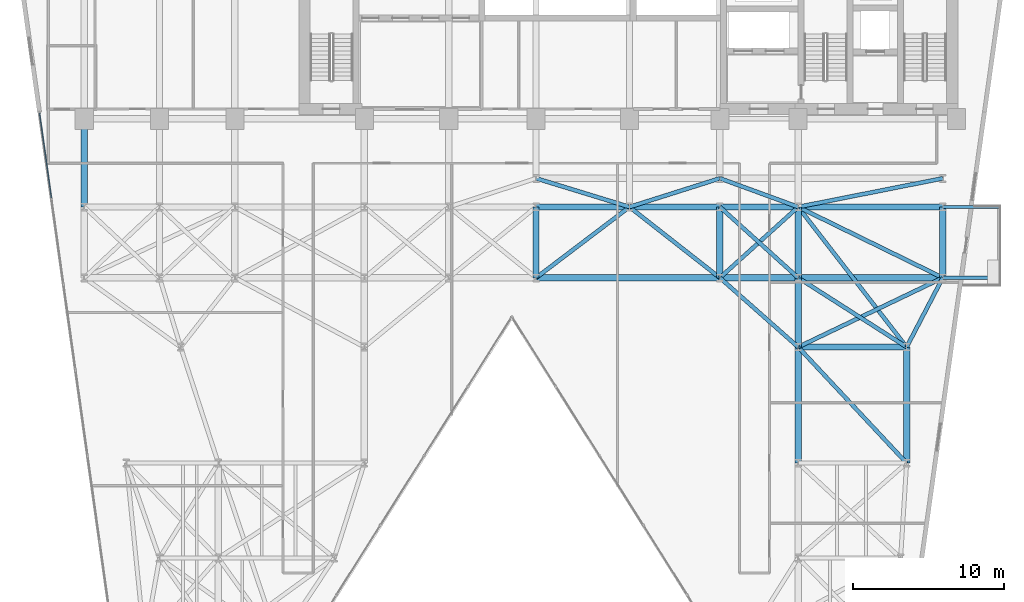
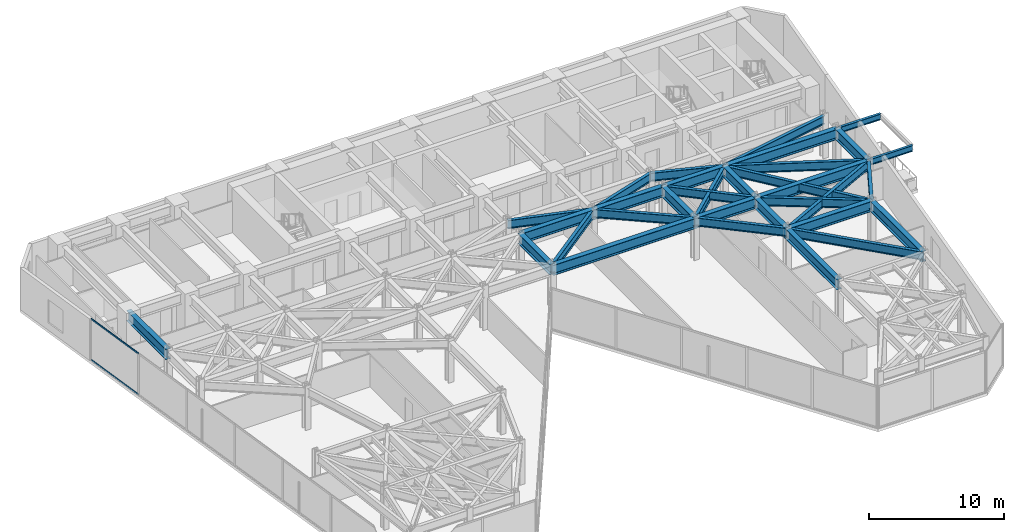
# One storey, part 16 of 24: 33 beams, 2 members, 1 element without a shape of its own.
"""IFC4 building model written with IfcOpenShell, lengths in metres."""

from ifc_helpers import new_model, si_unit, direction, frame, origin, origin_2d, place, context, subcontext, project, spatial, hollow_rectangle, i_section, extrude, material, layer, layer_set, material_profile, profile_set, type_object, element, aggregate, save


model = new_model("IFC4")

# Units and contexts
model_context = context("Model", 3, precision=1e-05, world=origin(), true_north=direction((0.0, 1.0)))
body_context = subcontext(model_context, "Body", "Model", "MODEL_VIEW")
ifc_project = project(units=[si_unit("LENGTHUNIT", "METRE"), si_unit("AREAUNIT", "SQUARE_METRE"), si_unit("VOLUMEUNIT", "CUBIC_METRE"), si_unit("PLANEANGLEUNIT", "RADIAN"), si_unit("MASSUNIT", "GRAM", prefix="KILO")], contexts=[model_context])

# Site, building, storey
site_placement = place(None, origin())
site = spatial("IfcSite", under=ifc_project, at=site_placement, CompositionType="ELEMENT")
building_placement = place(site_placement, origin())
building = spatial("IfcBuilding", under=site, at=building_placement, Name="Kravanh Interchange Tower", CompositionType="ELEMENT")
storey_placement = place(building_placement, frame((0.0, 0.0, 37.5)))
storey = spatial("IfcBuildingStorey", under=building, at=storey_placement, Name="L08", CompositionType="ELEMENT", Elevation=37.5)

# Curtain wall, members
ifc_material_1 = material(Name="Anodised Bronze Aluminium", Category="aluminium")
ifc_layer = layer(ifc_material_1, 0.179931640625)
ifc_layer_set = layer_set([ifc_layer], Name="Unitised Curtain Wall System CW-Z1 Lower Office")
curtain_wall_type = type_object("IfcCurtainWallType", Name="Unitised Curtain Wall System CW-Z1 Lower Office", PredefinedType="NOTDEFINED", material=ifc_layer_set)
curtain_wall_placement = place(storey_placement, origin())
curtain_wall = element("IfcCurtainWall", 1, at=curtain_wall_placement, inside=storey, type_object=curtain_wall_type, Name="L08 Unitised Curtain Wall CW-L08-01", PredefinedType="NOTDEFINED")
ifc_material_2 = material(Name="Anodised Bronze Aluminium", Category="aluminium")
ifc_material_profile_1 = material_profile(ifc_material_2, hollow_rectangle(XDim=0.06005859375, YDim=0.139892578125, WallThickness=0.00390625, at=origin_2d()), Name="ALU60X140X4")
ifc_profile_set_1 = profile_set([ifc_material_profile_1], Name="Anodised Bronze Aluminium")
member_type = type_object("IfcMemberType", Name="Curtain Wall Transom ALU60X140X4 Bronze", PredefinedType="USERDEFINED", material=ifc_profile_set_1)
member_1_placement = place(storey_placement, frame((6.422607421875, 32.1240234375, 0.030029296875), z_axis=(-0.139193386559, 0.990265217575, 0.0), x_axis=(-0.990265217575, -0.139193386559, 0.0)))
member_1 = element("IfcMember", 2, at=member_1_placement, type_object=member_type, Name="CW-Z1 transom 6.1", ObjectType="TRANSOM", PredefinedType="USERDEFINED", context=body_context, shape_type="SweptSolid", body=[
    extrude(hollow_rectangle(XDim=0.06005859375, YDim=0.139892578125, WallThickness=0.00390625, at=origin_2d()), origin(), (0.0, 0.0, 1.0), 5.661865234375),
])
member_2_placement = place(storey_placement, frame((6.422607421875, 32.1240234375, 3.7099609375), z_axis=(-0.139193386559, 0.990265217575, 0.0), x_axis=(-0.990265217575, -0.139193386559, 0.0)))
member_2 = element("IfcMember", 3, at=member_2_placement, type_object=member_type, Name="CW-Z1 transom 6.2", ObjectType="TRANSOM", PredefinedType="USERDEFINED", context=body_context, shape_type="SweptSolid", body=[
    extrude(hollow_rectangle(XDim=0.06005859375, YDim=0.139892578125, WallThickness=0.00390625, at=origin_2d()), origin(), (0.0, 0.0, 1.0), 5.661865234375),
])
aggregate(curtain_wall, [member_1, member_2])

# Beams
ifc_material_3 = material(Name="Structural Steel S355", Category="steel")
ifc_material_profile_2 = material_profile(ifc_material_3, i_section(OverallWidth=0.41796875, OverallDepth=0.927001953125, WebThickness=0.019287109375, FlangeThickness=0.031982421875, FilletRadius=0.028076171875, at=origin_2d()), Name="W36X231")
ifc_profile_set_2 = profile_set([ifc_material_profile_2], Name="Structural Steel S355")
beam_type_1 = type_object("IfcBeamType", Name="Floor Beam W36X231 Structural Steel S355", PredefinedType="BEAM", material=ifc_profile_set_2)
beam_1_placement = place(storey_placement, frame((8.60009765625, 37.35009765625, 3.276611328125), z_axis=(0.0, -1.0, 0.0), x_axis=(1.0, 0.0, 0.0)))
element("IfcBeam", 4, at=beam_1_placement, inside=storey, type_object=beam_type_1, Name="L08 Primary Floor Girder 36", PredefinedType="BEAM", context=body_context, shape_type="SweptSolid", body=[
    extrude(i_section(OverallWidth=0.41796875, OverallDepth=0.927001953125, WebThickness=0.019287109375, FlangeThickness=0.031982421875, FilletRadius=0.028076171875, at=origin_2d()), origin(), (0.0, 0.0, 1.0), 5.85009765625),
])
for number, where, z_axis, x_axis, name in (
    (5, (56.0, 14.5, 3.276611328125), (0.0, 1.0, 0.0), (-1.0, 0.0, 0.0), "L08 Primary Floor Girder 44"),
    (6, (63.199951171875, 14.5, 3.276611328125), (0.0, 1.0, 0.0), (-1.0, 0.0, 0.0), "L08 Primary Floor Girder 47"),
):
    element("IfcBeam", number, at=place(storey_placement, frame(where, z_axis=z_axis, x_axis=x_axis)), inside=storey, type_object=beam_type_1, Name=name, PredefinedType="BEAM", context=body_context, shape_type="SweptSolid", body=[
        extrude(i_section(OverallWidth=0.41796875, OverallDepth=0.927001953125, WebThickness=0.019287109375, FlangeThickness=0.031982421875, FilletRadius=0.028076171875, at=origin_2d()), origin(), (0.0, 0.0, 1.0), 7.699951171875),
    ])
beam_2_placement = place(storey_placement, frame((56.0, 22.199951171875, 3.276611328125), z_axis=(0.0, 1.0, 0.0), x_axis=(-1.0, 0.0, 0.0)))
element("IfcBeam", 7, at=beam_2_placement, inside=storey, type_object=beam_type_1, Name="L08 Primary Floor Girder 58", PredefinedType="BEAM", context=body_context, shape_type="SweptSolid", body=[
    extrude(i_section(OverallWidth=0.41796875, OverallDepth=0.927001953125, WebThickness=0.019287109375, FlangeThickness=0.031982421875, FilletRadius=0.028076171875, at=origin_2d()), origin(), (0.0, 0.0, 1.0), 4.60009765625),
])
beam_3_placement = place(storey_placement, frame((56.0, 22.199951171875, 3.276611328125), z_axis=(1.0, 0.0, 0.0), x_axis=(0.0, 1.0, 0.0)))
element("IfcBeam", 8, at=beam_3_placement, inside=storey, type_object=beam_type_1, Name="L08 Primary Floor Girder 60", PredefinedType="BEAM", context=body_context, shape_type="SweptSolid", body=[
    extrude(i_section(OverallWidth=0.41796875, OverallDepth=0.927001953125, WebThickness=0.019287109375, FlangeThickness=0.031982421875, FilletRadius=0.028076171875, at=origin_2d()), origin(), (0.0, 0.0, 1.0), 7.199951171875),
])
beam_4_placement = place(storey_placement, frame((38.60009765625, 26.800048828125, 3.276611328125), z_axis=(0.0, 1.0, 0.0), x_axis=(-1.0, 0.0, 0.0)))
element("IfcBeam", 9, at=beam_4_placement, inside=storey, type_object=beam_type_1, Name="L08 Primary Floor Girder 86", PredefinedType="BEAM", context=body_context, shape_type="SweptSolid", body=[
    extrude(i_section(OverallWidth=0.41796875, OverallDepth=0.927001953125, WebThickness=0.019287109375, FlangeThickness=0.031982421875, FilletRadius=0.028076171875, at=origin_2d()), origin(), (0.0, 0.0, 1.0), 4.699951171875),
])
beam_5_placement = place(storey_placement, frame((38.60009765625, 26.800048828125, 3.276611328125), z_axis=(1.0, 0.0, 0.0), x_axis=(0.0, 1.0, 0.0)))
element("IfcBeam", 10, at=beam_5_placement, inside=storey, type_object=beam_type_1, Name="L08 Primary Floor Girder 89", PredefinedType="BEAM", context=body_context, shape_type="SweptSolid", body=[
    extrude(i_section(OverallWidth=0.41796875, OverallDepth=0.927001953125, WebThickness=0.019287109375, FlangeThickness=0.031982421875, FilletRadius=0.028076171875, at=origin_2d()), origin(), (0.0, 0.0, 1.0), 12.199951171875),
])
beam_6_placement = place(storey_placement, frame((50.800048828125, 26.800048828125, 3.276611328125), z_axis=(0.0, 1.0, 0.0), x_axis=(-1.0, 0.0, 0.0)))
element("IfcBeam", 11, at=beam_6_placement, inside=storey, type_object=beam_type_1, Name="L08 Primary Floor Girder 90", PredefinedType="BEAM", context=body_context, shape_type="SweptSolid", body=[
    extrude(i_section(OverallWidth=0.41796875, OverallDepth=0.927001953125, WebThickness=0.019287109375, FlangeThickness=0.031982421875, FilletRadius=0.028076171875, at=origin_2d()), origin(), (0.0, 0.0, 1.0), 4.699951171875),
])
beam_7_placement = place(storey_placement, frame((50.800048828125, 26.800048828125, 3.276611328125), z_axis=(1.0, 0.0, 0.0), x_axis=(0.0, 1.0, 0.0)))
element("IfcBeam", 12, at=beam_7_placement, inside=storey, type_object=beam_type_1, Name="L08 Primary Floor Girder 91", PredefinedType="BEAM", context=body_context, shape_type="SweptSolid", body=[
    extrude(i_section(OverallWidth=0.41796875, OverallDepth=0.927001953125, WebThickness=0.019287109375, FlangeThickness=0.031982421875, FilletRadius=0.028076171875, at=origin_2d()), origin(), (0.0, 0.0, 1.0), 5.199951171875),
])
beam_8_placement = place(storey_placement, frame((56.0, 26.800048828125, 3.276611328125), z_axis=(0.0, 1.0, 0.0), x_axis=(-1.0, 0.0, 0.0)))
element("IfcBeam", 13, at=beam_8_placement, inside=storey, type_object=beam_type_1, Name="L08 Primary Floor Girder 94", PredefinedType="BEAM", context=body_context, shape_type="SweptSolid", body=[
    extrude(i_section(OverallWidth=0.41796875, OverallDepth=0.927001953125, WebThickness=0.019287109375, FlangeThickness=0.031982421875, FilletRadius=0.028076171875, at=origin_2d()), origin(), (0.0, 0.0, 1.0), 4.699951171875),
])
beam_9_placement = place(storey_placement, frame((56.0, 26.800048828125, 3.276611328125), z_axis=(1.0, 0.0, 0.0), x_axis=(0.0, 1.0, 0.0)))
element("IfcBeam", 14, at=beam_9_placement, inside=storey, type_object=beam_type_1, Name="L08 Primary Floor Girder 97", PredefinedType="BEAM", context=body_context, shape_type="SweptSolid", body=[
    extrude(i_section(OverallWidth=0.41796875, OverallDepth=0.927001953125, WebThickness=0.019287109375, FlangeThickness=0.031982421875, FilletRadius=0.028076171875, at=origin_2d()), origin(), (0.0, 0.0, 1.0), 9.60009765625),
])
beam_10_placement = place(storey_placement, frame((65.60009765625, 26.800048828125, 3.276611328125), z_axis=(0.0, 1.0, 0.0), x_axis=(-1.0, 0.0, 0.0)))
element("IfcBeam", 15, at=beam_10_placement, inside=storey, type_object=beam_type_1, Name="L08 Primary Floor Girder 98", PredefinedType="BEAM", context=body_context, shape_type="SweptSolid", body=[
    extrude(i_section(OverallWidth=0.41796875, OverallDepth=0.927001953125, WebThickness=0.019287109375, FlangeThickness=0.031982421875, FilletRadius=0.028076171875, at=origin_2d()), origin(), (0.0, 0.0, 1.0), 4.699951171875),
])
beam_11_placement = place(storey_placement, frame((38.60009765625, 31.5, 3.276611328125), z_axis=(1.0, 0.0, 0.0), x_axis=(0.0, 1.0, 0.0)))
element("IfcBeam", 16, at=beam_11_placement, inside=storey, type_object=beam_type_1, Name="L08 Primary Floor Girder 111", PredefinedType="BEAM", context=body_context, shape_type="SweptSolid", body=[
    extrude(i_section(OverallWidth=0.41796875, OverallDepth=0.927001953125, WebThickness=0.019287109375, FlangeThickness=0.031982421875, FilletRadius=0.028076171875, at=origin_2d()), origin(), (0.0, 0.0, 1.0), 6.199951171875),
])
beam_12_placement = place(storey_placement, frame((44.800048828125, 31.5, 3.276611328125), z_axis=(1.0, 0.0, 0.0), x_axis=(0.0, 1.0, 0.0)))
element("IfcBeam", 17, at=beam_12_placement, inside=storey, type_object=beam_type_1, Name="L08 Primary Floor Girder 113", PredefinedType="BEAM", context=body_context, shape_type="SweptSolid", body=[
    extrude(i_section(OverallWidth=0.41796875, OverallDepth=0.927001953125, WebThickness=0.019287109375, FlangeThickness=0.031982421875, FilletRadius=0.028076171875, at=origin_2d()), origin(), (0.0, 0.0, 1.0), 6.0),
])
beam_13_placement = place(storey_placement, frame((50.800048828125, 31.5, 3.276611328125), z_axis=(1.0, 0.0, 0.0), x_axis=(0.0, 1.0, 0.0)))
element("IfcBeam", 18, at=beam_13_placement, inside=storey, type_object=beam_type_1, Name="L08 Primary Floor Girder 116", PredefinedType="BEAM", context=body_context, shape_type="SweptSolid", body=[
    extrude(i_section(OverallWidth=0.41796875, OverallDepth=0.927001953125, WebThickness=0.019287109375, FlangeThickness=0.031982421875, FilletRadius=0.028076171875, at=origin_2d()), origin(), (0.0, 0.0, 1.0), 5.199951171875),
])
beam_14_placement = place(storey_placement, frame((56.0, 31.5, 3.276611328125), z_axis=(1.0, 0.0, 0.0), x_axis=(0.0, 1.0, 0.0)))
element("IfcBeam", 19, at=beam_14_placement, inside=storey, type_object=beam_type_1, Name="L08 Primary Floor Girder 119", PredefinedType="BEAM", context=body_context, shape_type="SweptSolid", body=[
    extrude(i_section(OverallWidth=0.41796875, OverallDepth=0.927001953125, WebThickness=0.019287109375, FlangeThickness=0.031982421875, FilletRadius=0.028076171875, at=origin_2d()), origin(), (0.0, 0.0, 1.0), 9.60009765625),
])
ifc_material_4 = material(Name="Structural Steel S355", Category="steel")
ifc_material_profile_3 = material_profile(ifc_material_4, i_section(OverallWidth=0.2099609375, OverallDepth=0.537109375, WebThickness=0.010986328125, FlangeThickness=0.017333984375, FilletRadius=0.02001953125, at=origin_2d()), Name="W21X68")
ifc_profile_set_3 = profile_set([ifc_material_profile_3], Name="Structural Steel S355")
beam_type_2 = type_object("IfcBeamType", Name="Floor Spandrel W21X68 Structural Steel S355", PredefinedType="SPANDREL", material=ifc_profile_set_3)
for number, where, z_axis, x_axis, name in (
    (20, (65.60009765625, 26.800048828125, 3.471435546875), (1.0, 0.0, 0.0), (0.0, 1.0, 0.0), "L08 Balcony Cantilever Outrigger E1"),
    (21, (65.60009765625, 31.5, 3.471435546875), (1.0, 0.0, 0.0), (0.0, 1.0, 0.0), "L08 Balcony Cantilever Outrigger E2"),
):
    element("IfcBeam", number, at=place(storey_placement, frame(where, z_axis=z_axis, x_axis=x_axis)), inside=storey, type_object=beam_type_2, Name=name, PredefinedType="SPANDREL", context=body_context, shape_type="SweptSolid", body=[
        extrude(i_section(OverallWidth=0.2099609375, OverallDepth=0.537109375, WebThickness=0.010986328125, FlangeThickness=0.017333984375, FilletRadius=0.02001953125, at=origin_2d()), origin(), (0.0, 0.0, 1.0), 3.724853515625),
    ])
ifc_material_5 = material(Name="Structural Steel S355", Category="steel")
ifc_material_profile_4 = material_profile(ifc_material_5, i_section(OverallWidth=0.26708984375, OverallDepth=0.761962890625, WebThickness=0.014404296875, FlangeThickness=0.021484375, FilletRadius=0.02490234375, at=origin_2d()), Name="W30X116")
ifc_profile_set_4 = profile_set([ifc_material_profile_4], Name="Structural Steel S355")
beam_type_3 = type_object("IfcBeamType", Name="Floor Spandrel W30X116 Structural Steel S355", PredefinedType="SPANDREL", material=ifc_profile_set_4)
beam_15_placement = place(storey_placement, frame((63.199951171875, 14.5, 3.35888671875), z_axis=(-0.682993762113, 0.73042420614, 0.0), x_axis=(-0.73042420614, -0.682993762113, 0.0)))
element("IfcBeam", 22, at=beam_15_placement, inside=storey, type_object=beam_type_3, Name="L08 Perimeter Spandrel 49", PredefinedType="SPANDREL", context=body_context, shape_type="SweptSolid", body=[
    extrude(i_section(OverallWidth=0.26708984375, OverallDepth=0.761962890625, WebThickness=0.014404296875, FlangeThickness=0.021484375, FilletRadius=0.02490234375, at=origin_2d()), origin(), (0.0, 0.0, 1.0), 10.541748046875),
])
beam_16_placement = place(storey_placement, frame((56.0, 22.199951171875, 3.35888671875), z_axis=(-0.74898649432, 0.662585263439, 0.0), x_axis=(-0.662585263439, -0.74898649432, 0.0)))
element("IfcBeam", 23, at=beam_16_placement, inside=storey, type_object=beam_type_3, Name="L08 Perimeter Spandrel 59", PredefinedType="SPANDREL", context=body_context, shape_type="SweptSolid", body=[
    extrude(i_section(OverallWidth=0.26708984375, OverallDepth=0.761962890625, WebThickness=0.014404296875, FlangeThickness=0.021484375, FilletRadius=0.02490234375, at=origin_2d()), origin(), (0.0, 0.0, 1.0), 6.942626953125),
])
beam_17_placement = place(storey_placement, frame((56.0, 22.199951171875, 3.35888671875), z_axis=(0.901814166789, 0.432124066188, 0.0), x_axis=(-0.432124066188, 0.901814166789, 0.0)))
element("IfcBeam", 24, at=beam_17_placement, inside=storey, type_object=beam_type_3, Name="L08 Perimeter Spandrel 61", PredefinedType="SPANDREL", context=body_context, shape_type="SweptSolid", body=[
    extrude(i_section(OverallWidth=0.26708984375, OverallDepth=0.761962890625, WebThickness=0.014404296875, FlangeThickness=0.021484375, FilletRadius=0.02490234375, at=origin_2d()), origin(), (0.0, 0.0, 1.0), 10.645263671875),
])
beam_18_placement = place(storey_placement, frame((63.199951171875, 22.199951171875, 3.35888671875), z_axis=(0.462580479178, 0.886577295155, 0.0), x_axis=(-0.886577295155, 0.462580479178, 0.0)))
element("IfcBeam", 25, at=beam_18_placement, inside=storey, type_object=beam_type_3, Name="L08 Perimeter Spandrel 62", PredefinedType="SPANDREL", context=body_context, shape_type="SweptSolid", body=[
    extrude(i_section(OverallWidth=0.26708984375, OverallDepth=0.761962890625, WebThickness=0.014404296875, FlangeThickness=0.021484375, FilletRadius=0.02490234375, at=origin_2d()), origin(), (0.0, 0.0, 1.0), 5.188720703125),
])
beam_19_placement = place(storey_placement, frame((63.199951171875, 22.199951171875, 3.35888671875), z_axis=(-0.842689417531, 0.53839998661, 0.0), x_axis=(-0.53839998661, -0.842689417531, 0.0)))
element("IfcBeam", 26, at=beam_19_placement, inside=storey, type_object=beam_type_3, Name="L08 Perimeter Spandrel 63", PredefinedType="SPANDREL", context=body_context, shape_type="SweptSolid", body=[
    extrude(i_section(OverallWidth=0.26708984375, OverallDepth=0.761962890625, WebThickness=0.014404296875, FlangeThickness=0.021484375, FilletRadius=0.02490234375, at=origin_2d()), origin(), (0.0, 0.0, 1.0), 8.5439453125),
])
beam_20_placement = place(storey_placement, frame((63.199951171875, 22.199951171875, 3.35888671875), z_axis=(-0.612168587637, 0.790727273028, 0.0), x_axis=(-0.790727273028, -0.612168587637, 0.0)))
element("IfcBeam", 27, at=beam_20_placement, inside=storey, type_object=beam_type_3, Name="L08 Perimeter Spandrel 65", PredefinedType="SPANDREL", context=body_context, shape_type="SweptSolid", body=[
    extrude(i_section(OverallWidth=0.26708984375, OverallDepth=0.761962890625, WebThickness=0.014404296875, FlangeThickness=0.021484375, FilletRadius=0.02490234375, at=origin_2d()), origin(), (0.0, 0.0, 1.0), 11.761474609375),
])
beam_21_placement = place(storey_placement, frame((38.60009765625, 26.800048828125, 3.35888671875), z_axis=(0.796905365509, 0.604104161898, 0.0), x_axis=(-0.604104161898, 0.796905365509, 0.0)))
element("IfcBeam", 28, at=beam_21_placement, inside=storey, type_object=beam_type_3, Name="L08 Perimeter Spandrel 88", PredefinedType="SPANDREL", context=body_context, shape_type="SweptSolid", body=[
    extrude(i_section(OverallWidth=0.26708984375, OverallDepth=0.761962890625, WebThickness=0.014404296875, FlangeThickness=0.021484375, FilletRadius=0.02490234375, at=origin_2d()), origin(), (0.0, 0.0, 1.0), 7.780029296875),
])
beam_22_placement = place(storey_placement, frame((50.800048828125, 26.800048828125, 3.35888671875), z_axis=(0.741874009795, 0.670539300557, 0.0), x_axis=(-0.670539300557, 0.741874009795, 0.0)))
element("IfcBeam", 29, at=beam_22_placement, inside=storey, type_object=beam_type_3, Name="L08 Perimeter Spandrel 92", PredefinedType="SPANDREL", context=body_context, shape_type="SweptSolid", body=[
    extrude(i_section(OverallWidth=0.26708984375, OverallDepth=0.761962890625, WebThickness=0.014404296875, FlangeThickness=0.021484375, FilletRadius=0.02490234375, at=origin_2d()), origin(), (0.0, 0.0, 1.0), 7.00927734375),
])
beam_23_placement = place(storey_placement, frame((50.800048828125, 26.800048828125, 3.35888671875), z_axis=(-0.787231163579, 0.616658004967, 0.0), x_axis=(-0.616658004967, -0.787231163579, 0.0)))
element("IfcBeam", 30, at=beam_23_placement, inside=storey, type_object=beam_type_3, Name="L08 Perimeter Spandrel 93", PredefinedType="SPANDREL", context=body_context, shape_type="SweptSolid", body=[
    extrude(i_section(OverallWidth=0.26708984375, OverallDepth=0.761962890625, WebThickness=0.014404296875, FlangeThickness=0.021484375, FilletRadius=0.02490234375, at=origin_2d()), origin(), (0.0, 0.0, 1.0), 7.62158203125),
])
beam_24_placement = place(storey_placement, frame((56.0, 26.800048828125, 3.35888671875), z_axis=(-0.741874009795, 0.670539300557, 0.0), x_axis=(-0.670539300557, -0.741874009795, 0.0)))
element("IfcBeam", 31, at=beam_24_placement, inside=storey, type_object=beam_type_3, Name="L08 Perimeter Spandrel 95", PredefinedType="SPANDREL", context=body_context, shape_type="SweptSolid", body=[
    extrude(i_section(OverallWidth=0.26708984375, OverallDepth=0.761962890625, WebThickness=0.014404296875, FlangeThickness=0.021484375, FilletRadius=0.02490234375, at=origin_2d()), origin(), (0.0, 0.0, 1.0), 7.00927734375),
])
beam_25_placement = place(storey_placement, frame((65.60009765625, 26.800048828125, 3.35888671875), z_axis=(-0.898141688387, 0.439706160499, 0.0), x_axis=(-0.439706160499, -0.898141688387, 0.0)))
element("IfcBeam", 32, at=beam_25_placement, inside=storey, type_object=beam_type_3, Name="L08 Perimeter Spandrel 99", PredefinedType="SPANDREL", context=body_context, shape_type="SweptSolid", body=[
    extrude(i_section(OverallWidth=0.26708984375, OverallDepth=0.761962890625, WebThickness=0.014404296875, FlangeThickness=0.021484375, FilletRadius=0.02490234375, at=origin_2d()), origin(), (0.0, 0.0, 1.0), 10.68896484375),
])
beam_26_placement = place(storey_placement, frame((44.800048828125, 31.5, 3.35888671875), z_axis=(0.953346691051, 0.301877602122, 0.0), x_axis=(-0.301877602122, 0.953346691051, 0.0)))
element("IfcBeam", 33, at=beam_26_placement, inside=storey, type_object=beam_type_3, Name="L08 Perimeter Spandrel 114", PredefinedType="SPANDREL", context=body_context, shape_type="SweptSolid", body=[
    extrude(i_section(OverallWidth=0.26708984375, OverallDepth=0.761962890625, WebThickness=0.014404296875, FlangeThickness=0.021484375, FilletRadius=0.02490234375, at=origin_2d()), origin(), (0.0, 0.0, 1.0), 6.293701171875),
])
beam_27_placement = place(storey_placement, frame((44.800048828125, 31.5, 3.35888671875), z_axis=(-0.956115397264, 0.292990353279, 0.0), x_axis=(-0.292990353279, -0.956115397264, 0.0)))
element("IfcBeam", 34, at=beam_27_placement, inside=storey, type_object=beam_type_3, Name="L08 Perimeter Spandrel 115", PredefinedType="SPANDREL", context=body_context, shape_type="SweptSolid", body=[
    extrude(i_section(OverallWidth=0.26708984375, OverallDepth=0.761962890625, WebThickness=0.014404296875, FlangeThickness=0.021484375, FilletRadius=0.02490234375, at=origin_2d()), origin(), (0.0, 0.0, 1.0), 6.484619140625),
])
beam_28_placement = place(storey_placement, frame((56.0, 31.5, 3.35888671875), z_axis=(-0.93926957103, 0.343180233896, 0.0), x_axis=(-0.343180233896, -0.93926957103, 0.0)))
element("IfcBeam", 35, at=beam_28_placement, inside=storey, type_object=beam_type_3, Name="L08 Perimeter Spandrel 118", PredefinedType="SPANDREL", context=body_context, shape_type="SweptSolid", body=[
    extrude(i_section(OverallWidth=0.26708984375, OverallDepth=0.761962890625, WebThickness=0.014404296875, FlangeThickness=0.021484375, FilletRadius=0.02490234375, at=origin_2d()), origin(), (0.0, 0.0, 1.0), 5.5361328125),
])
beam_29_placement = place(storey_placement, frame((56.0, 31.5, 3.35888671875), z_axis=(0.980974000807, 0.194139150457, 0.0), x_axis=(-0.194139150457, 0.980974000807, 0.0)))
element("IfcBeam", 36, at=beam_29_placement, inside=storey, type_object=beam_type_3, Name="L08 Perimeter Spandrel 120", PredefinedType="SPANDREL", context=body_context, shape_type="SweptSolid", body=[
    extrude(i_section(OverallWidth=0.26708984375, OverallDepth=0.761962890625, WebThickness=0.014404296875, FlangeThickness=0.021484375, FilletRadius=0.02490234375, at=origin_2d()), origin(), (0.0, 0.0, 1.0), 9.786376953125),
])

save(model, "model.ifc")
